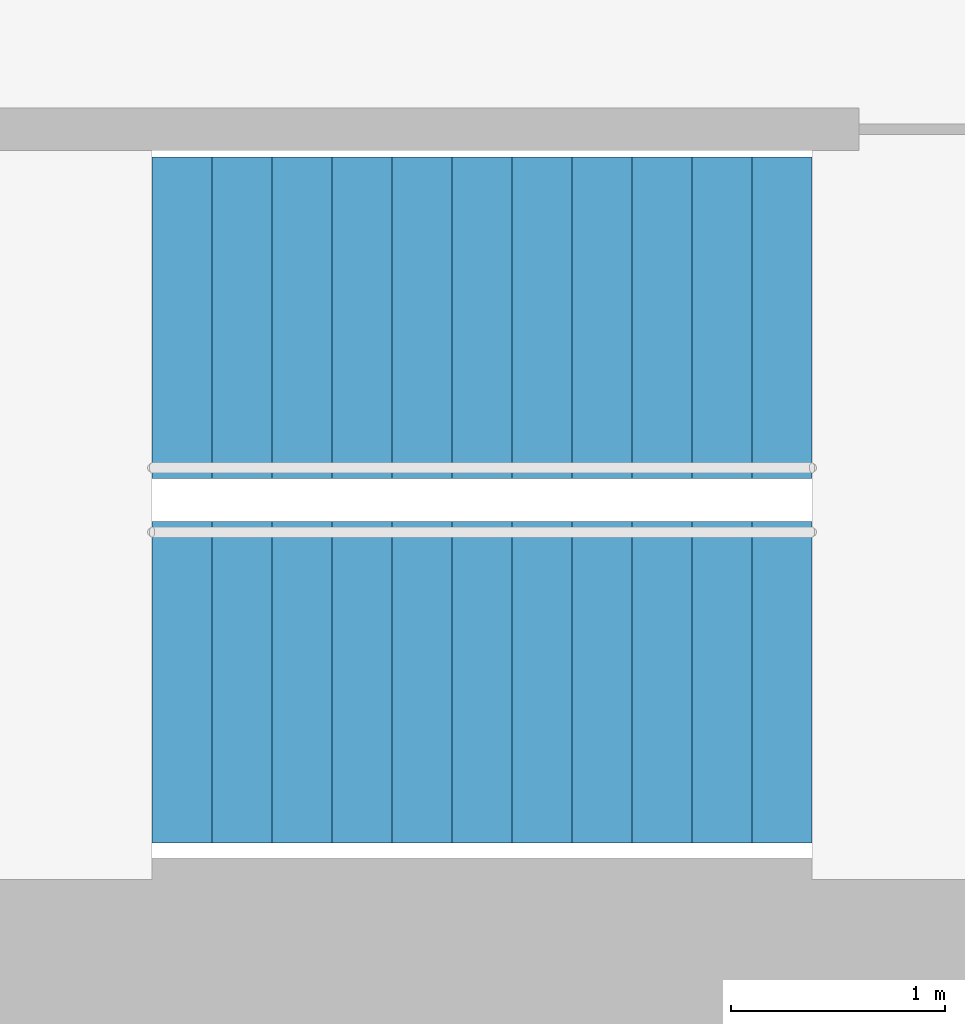
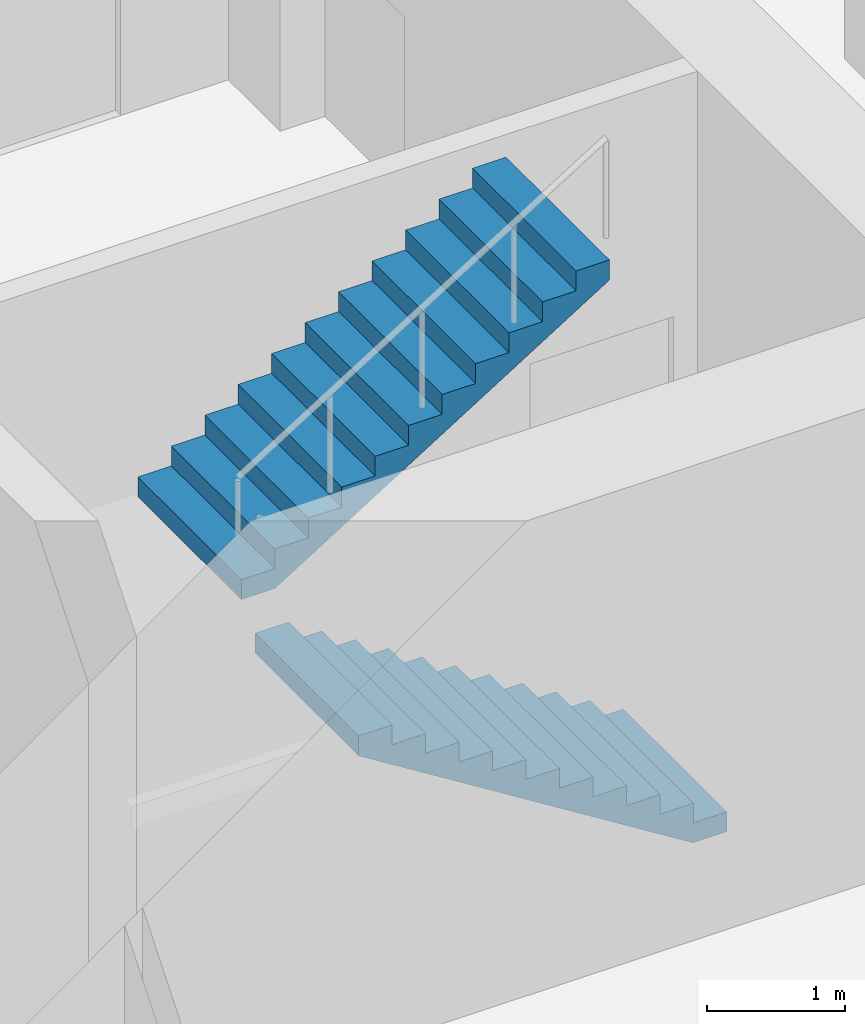
# One storey, part 15 of 17: 2 stair flights, 1 element without a shape of its own.
"""IFC4 building model written with IfcOpenShell, lengths in metres."""

from ifc_helpers import new_model, si_unit, direction, frame, origin, place, context, subcontext, project, spatial, triangles, material, type_object, element, aggregate, save


model = new_model("IFC4")

# Units and contexts
model_context = context("Model", 3, precision=1e-05, world=origin(), true_north=direction((0.0, 1.0)))
body_context = subcontext(model_context, "Body", "Model", "MODEL_VIEW")
ifc_project = project(units=[si_unit("LENGTHUNIT", "METRE"), si_unit("AREAUNIT", "SQUARE_METRE"), si_unit("VOLUMEUNIT", "CUBIC_METRE"), si_unit("PLANEANGLEUNIT", "RADIAN"), si_unit("MASSUNIT", "GRAM", prefix="KILO")], contexts=[model_context])

# Site, building, storey
site_placement = place(None, origin())
site = spatial("IfcSite", under=ifc_project, at=site_placement, CompositionType="ELEMENT")
building_placement = place(site_placement, origin())
building = spatial("IfcBuilding", under=site, at=building_placement, Name="Lantaw Convention Tower", CompositionType="ELEMENT")
storey_placement = place(building_placement, frame((0.0, 0.0, 199.0)))
storey = spatial("IfcBuildingStorey", under=building, at=storey_placement, Name="L46", CompositionType="ELEMENT", Elevation=199.0)

# Stair, stair flights
ifc_material = material(Name="Concrete C35/45", Category="concrete")
stair_type = type_object("IfcStairType", Name="Exit stair 1500 riser 175 in 2 flights", PredefinedType="HALF_TURN_STAIR", material=ifc_material)
stair_placement = place(storey_placement, origin())
stair = element("IfcStair", 1, at=stair_placement, inside=storey, type_object=stair_type, Name="Exit stair S2 L46", PredefinedType="HALF_TURN_STAIR")
stair_flight_type = type_object("IfcStairFlightType", Name="Stair flight 1500 riser 175", PredefinedType="STRAIGHT", material=ifc_material)
stair_flight_1_placement = place(storey_placement, frame((10.580078125, -5.97998046875, 0.0), z_axis=(0.0, 0.0, 1.0), x_axis=(-1.0, 0.0, 0.0)))
stair_flight_1 = element("IfcStairFlight", 2, at=stair_flight_1_placement, type_object=stair_flight_type, Name="S2 flight 1", NumberOfRisers=12, NumberOfTreads=11, PredefinedType="STRAIGHT", RiserHeight=0.175, TreadLength=0.28, context=body_context, shape_type="Tessellation", body=[
    triangles([(0.0, 0.75, 0.0), (0.0, 0.75, 0.175), (0.28, 0.75, 0.0), (0.28, 0.75, 0.175), (0.28, 0.75, 0.35), (0.28283517651771284, 0.75, 0.0), (0.28283517651771284, 0.75, 0.35), (0.56, 0.75, 0.17322801467642948), (0.56, 0.75, 0.35), (0.56, 0.75, 0.5249999999999999), (0.8400000000000001, 0.75, 0.34822801467642944), (0.8400000000000001, 0.75, 0.5249999999999999), (0.8400000000000001, 0.75, 0.7), (1.12, 0.75, 0.5232280146764294), (1.12, 0.75, 0.7), (1.12, 0.75, 0.875), (1.4000000000000001, 0.75, 0.6982280146764295), (1.4000000000000001, 0.75, 0.875), (1.4000000000000001, 0.75, 1.0499999999999998), (1.6800000000000002, 0.75, 0.8732280146764294), (1.6800000000000002, 0.75, 1.0499999999999998), (1.6800000000000002, 0.75, 1.2249999999999999), (1.9600000000000002, 0.75, 1.0482280146764293), (1.9600000000000002, 0.75, 1.2249999999999999), (1.9600000000000002, 0.75, 1.4), (2.24, 0.75, 1.2232280146764294), (2.24, 0.75, 1.4), (2.24, 0.75, 1.575), (2.5200000000000005, 0.75, 1.3982280146764294), (2.5200000000000005, 0.75, 1.575), (2.5200000000000005, 0.75, 1.75), (2.8000000000000003, 0.75, 1.5732280146764293), (2.8000000000000003, 0.75, 1.75), (2.8000000000000003, 0.75, 1.9249999999999998), (3.08, 0.75, 1.7482280146764293), (3.08, 0.75, 1.9249999999999998), (0.0, -0.75, 0.0), (0.0, -0.75, 0.175), (0.28, -0.75, 0.0), (0.28, -0.75, 0.175), (0.28, -0.75, 0.35), (0.28283517651771284, -0.75, 0.0), (0.28283517651771284, -0.75, 0.35), (0.56, -0.75, 0.17322801467642948), (0.56, -0.75, 0.35), (0.56, -0.75, 0.5249999999999999), (0.8400000000000001, -0.75, 0.34822801467642944), (0.8400000000000001, -0.75, 0.5249999999999999), (0.8400000000000001, -0.75, 0.7), (1.12, -0.75, 0.5232280146764294), (1.12, -0.75, 0.7), (1.12, -0.75, 0.875), (1.4000000000000001, -0.75, 0.6982280146764295), (1.4000000000000001, -0.75, 0.875), (1.4000000000000001, -0.75, 1.0499999999999998), (1.6800000000000002, -0.75, 0.8732280146764294), (1.6800000000000002, -0.75, 1.0499999999999998), (1.6800000000000002, -0.75, 1.2249999999999999), (1.9600000000000002, -0.75, 1.0482280146764293), (1.9600000000000002, -0.75, 1.2249999999999999), (1.9600000000000002, -0.75, 1.4), (2.24, -0.75, 1.2232280146764294), (2.24, -0.75, 1.4), (2.24, -0.75, 1.575), (2.5200000000000005, -0.75, 1.3982280146764294), (2.5200000000000005, -0.75, 1.575), (2.5200000000000005, -0.75, 1.75), (2.8000000000000003, -0.75, 1.5732280146764293), (2.8000000000000003, -0.75, 1.75), (2.8000000000000003, -0.75, 1.9249999999999998), (3.08, -0.75, 1.7482280146764293), (3.08, -0.75, 1.9249999999999998), (0.0, 0.15000000000000002, 0.175), (0.0, 0.15000000000000002, 0.0), (0.0, 0.0, 0.175), (0.0, 0.0, 0.0), (0.0, -0.15000000000000002, 0.175), (0.0, -0.15000000000000002, 0.0), (0.28, 0.15000000000000002, 0.35), (0.28, 0.15000000000000002, 0.175), (0.28, 0.0, 0.35), (0.28, 0.0, 0.175), (0.28, -0.15000000000000002, 0.35), (0.28, -0.15000000000000002, 0.175), (0.56, 0.15000000000000002, 0.5249999999999999), (0.56, 0.15000000000000002, 0.35), (0.56, 0.0, 0.5249999999999999), (0.56, 0.0, 0.35), (0.56, -0.15000000000000002, 0.5249999999999999), (0.56, -0.15000000000000002, 0.35), (0.8400000000000001, 0.15000000000000002, 0.7), (0.8400000000000001, 0.15000000000000002, 0.5249999999999999), (0.8400000000000001, 0.0, 0.7), (0.8400000000000001, 0.0, 0.5249999999999999), (0.8400000000000001, -0.15000000000000002, 0.7), (0.8400000000000001, -0.15000000000000002, 0.5249999999999999), (1.12, 0.15000000000000002, 0.875), (1.12, 0.15000000000000002, 0.7), (1.12, 0.0, 0.875), (1.12, 0.0, 0.7), (1.12, -0.15000000000000002, 0.875), (1.12, -0.15000000000000002, 0.7), (1.4000000000000001, 0.15000000000000002, 1.0499999999999998), (1.4000000000000001, 0.15000000000000002, 0.875), (1.4000000000000001, 0.0, 1.0499999999999998), (1.4000000000000001, 0.0, 0.875), (1.4000000000000001, -0.15000000000000002, 1.0499999999999998), (1.4000000000000001, -0.15000000000000002, 0.875), (1.6800000000000002, 0.15000000000000002, 1.2249999999999999), (1.6800000000000002, 0.15000000000000002, 1.0499999999999998), (1.6800000000000002, 0.0, 1.2249999999999999), (1.6800000000000002, 0.0, 1.0499999999999998), (1.6800000000000002, -0.15000000000000002, 1.2249999999999999), (1.6800000000000002, -0.15000000000000002, 1.0499999999999998), (1.9600000000000002, 0.15000000000000002, 1.4), (1.9600000000000002, 0.15000000000000002, 1.2249999999999999), (1.9600000000000002, 0.0, 1.4), (1.9600000000000002, 0.0, 1.2249999999999999), (1.9600000000000002, -0.15000000000000002, 1.4), (1.9600000000000002, -0.15000000000000002, 1.2249999999999999), (2.24, 0.15000000000000002, 1.575), (2.24, 0.15000000000000002, 1.4), (2.24, 0.0, 1.575), (2.24, 0.0, 1.4), (2.24, -0.15000000000000002, 1.575), (2.24, -0.15000000000000002, 1.4), (2.5200000000000005, 0.15000000000000002, 1.75), (2.5200000000000005, 0.15000000000000002, 1.575), (2.5200000000000005, 0.0, 1.75), (2.5200000000000005, 0.0, 1.575), (2.5200000000000005, -0.15000000000000002, 1.75), (2.5200000000000005, -0.15000000000000002, 1.575), (2.8000000000000003, 0.15000000000000002, 1.9249999999999998), (2.8000000000000003, 0.15000000000000002, 1.75), (2.8000000000000003, 0.0, 1.9249999999999998), (2.8000000000000003, 0.0, 1.75), (2.8000000000000003, -0.15000000000000002, 1.9249999999999998), (2.8000000000000003, -0.15000000000000002, 1.75), (0.28283517651771284, 0.15000000000000002, 0.35), (0.28283517651771284, 0.0, 0.35), (0.28283517651771284, -0.15000000000000002, 0.35), (3.08, 0.15000000000000002, 1.9249999999999998), (3.08, 0.0, 1.9249999999999998), (3.08, -0.15000000000000002, 1.9249999999999998), (3.08, 0.15000000000000002, 1.7482280146764293), (3.08, 0.0, 1.7482280146764293), (3.08, -0.15000000000000002, 1.7482280146764293), (2.8000000000000003, 0.15000000000000002, 1.5732280146764293), (2.8000000000000003, 0.0, 1.5732280146764293), (2.8000000000000003, -0.15000000000000002, 1.5732280146764293), (2.5200000000000005, 0.15000000000000002, 1.3982280146764294), (2.5200000000000005, 0.0, 1.3982280146764294), (2.5200000000000005, -0.15000000000000002, 1.3982280146764294), (2.24, 0.15000000000000002, 1.2232280146764294), (2.24, 0.0, 1.2232280146764294), (2.24, -0.15000000000000002, 1.2232280146764294), (1.9600000000000002, 0.15000000000000002, 1.0482280146764293), (1.9600000000000002, 0.0, 1.0482280146764293), (1.9600000000000002, -0.15000000000000002, 1.0482280146764293), (1.6800000000000002, 0.15000000000000002, 0.8732280146764294), (1.6800000000000002, 0.0, 0.8732280146764294), (1.6800000000000002, -0.15000000000000002, 0.8732280146764294), (1.4000000000000001, 0.15000000000000002, 0.6982280146764295), (1.4000000000000001, 0.0, 0.6982280146764295), (1.4000000000000001, -0.15000000000000002, 0.6982280146764295), (1.12, 0.15000000000000002, 0.5232280146764294), (1.12, 0.0, 0.5232280146764294), (1.12, -0.15000000000000002, 0.5232280146764294), (0.8400000000000001, 0.15000000000000002, 0.34822801467642944), (0.8400000000000001, 0.0, 0.34822801467642944), (0.8400000000000001, -0.15000000000000002, 0.34822801467642944), (0.56, 0.15000000000000002, 0.17322801467642948), (0.56, 0.0, 0.17322801467642948), (0.56, -0.15000000000000002, 0.17322801467642948), (0.28283517651771284, 0.15000000000000002, 0.0), (0.28283517651771284, 0.0, 0.0), (0.28283517651771284, -0.15000000000000002, 0.0), (0.28, 0.15000000000000002, 0.0), (0.28, 0.0, 0.0), (0.28, -0.15000000000000002, 0.0)], [[1, 4, 3], [1, 2, 4], [3, 4, 6], [4, 7, 6], [4, 5, 7], [6, 9, 8], [6, 7, 9], [8, 9, 11], [9, 12, 11], [9, 10, 12], [11, 12, 14], [12, 15, 14], [12, 13, 15], [14, 15, 17], [15, 18, 17], [15, 16, 18], [17, 18, 20], [18, 21, 20], [18, 19, 21], [20, 21, 23], [21, 24, 23], [21, 22, 24], [23, 24, 26], [24, 27, 26], [24, 25, 27], [26, 27, 29], [27, 30, 29], [27, 28, 30], [29, 30, 32], [30, 33, 32], [30, 31, 33], [32, 33, 35], [33, 36, 35], [33, 34, 36], [37, 39, 40], [37, 40, 38], [39, 42, 40], [40, 42, 43], [40, 43, 41], [42, 44, 45], [42, 45, 43], [44, 47, 45], [45, 47, 48], [45, 48, 46], [47, 50, 48], [48, 50, 51], [48, 51, 49], [50, 53, 51], [51, 53, 54], [51, 54, 52], [53, 56, 54], [54, 56, 57], [54, 57, 55], [56, 59, 57], [57, 59, 60], [57, 60, 58], [59, 62, 60], [60, 62, 63], [60, 63, 61], [62, 65, 63], [63, 65, 66], [63, 66, 64], [65, 68, 66], [66, 68, 69], [66, 69, 67], [68, 71, 69], [69, 71, 72], [69, 72, 70], [1, 73, 2], [1, 74, 73], [74, 75, 73], [74, 76, 75], [76, 77, 75], [76, 78, 77], [78, 38, 77], [78, 37, 38], [4, 79, 5], [4, 80, 79], [80, 81, 79], [80, 82, 81], [82, 83, 81], [82, 84, 83], [84, 41, 83], [84, 40, 41], [9, 85, 10], [9, 86, 85], [86, 87, 85], [86, 88, 87], [88, 89, 87], [88, 90, 89], [90, 46, 89], [90, 45, 46], [12, 91, 13], [12, 92, 91], [92, 93, 91], [92, 94, 93], [94, 95, 93], [94, 96, 95], [96, 49, 95], [96, 48, 49], [15, 97, 16], [15, 98, 97], [98, 99, 97], [98, 100, 99], [100, 101, 99], [100, 102, 101], [102, 52, 101], [102, 51, 52], [18, 103, 19], [18, 104, 103], [104, 105, 103], [104, 106, 105], [106, 107, 105], [106, 108, 107], [108, 55, 107], [108, 54, 55], [21, 109, 22], [21, 110, 109], [110, 111, 109], [110, 112, 111], [112, 113, 111], [112, 114, 113], [114, 58, 113], [114, 57, 58], [24, 115, 25], [24, 116, 115], [116, 117, 115], [116, 118, 117], [118, 119, 117], [118, 120, 119], [120, 61, 119], [120, 60, 61], [27, 121, 28], [27, 122, 121], [122, 123, 121], [122, 124, 123], [124, 125, 123], [124, 126, 125], [126, 64, 125], [126, 63, 64], [30, 127, 31], [30, 128, 127], [128, 129, 127], [128, 130, 129], [130, 131, 129], [130, 132, 131], [132, 67, 131], [132, 66, 67], [33, 133, 34], [33, 134, 133], [134, 135, 133], [134, 136, 135], [136, 137, 135], [136, 138, 137], [138, 70, 137], [138, 69, 70], [2, 80, 4], [2, 73, 80], [73, 82, 80], [73, 75, 82], [75, 84, 82], [75, 77, 84], [77, 40, 84], [77, 38, 40], [5, 139, 7], [5, 79, 139], [79, 140, 139], [79, 81, 140], [81, 141, 140], [81, 83, 141], [83, 43, 141], [83, 41, 43], [7, 86, 9], [7, 139, 86], [139, 88, 86], [139, 140, 88], [140, 90, 88], [140, 141, 90], [141, 45, 90], [141, 43, 45], [10, 92, 12], [10, 85, 92], [85, 94, 92], [85, 87, 94], [87, 96, 94], [87, 89, 96], [89, 48, 96], [89, 46, 48], [13, 98, 15], [13, 91, 98], [91, 100, 98], [91, 93, 100], [93, 102, 100], [93, 95, 102], [95, 51, 102], [95, 49, 51], [16, 104, 18], [16, 97, 104], [97, 106, 104], [97, 99, 106], [99, 108, 106], [99, 101, 108], [101, 54, 108], [101, 52, 54], [19, 110, 21], [19, 103, 110], [103, 112, 110], [103, 105, 112], [105, 114, 112], [105, 107, 114], [107, 57, 114], [107, 55, 57], [22, 116, 24], [22, 109, 116], [109, 118, 116], [109, 111, 118], [111, 120, 118], [111, 113, 120], [113, 60, 120], [113, 58, 60], [25, 122, 27], [25, 115, 122], [115, 124, 122], [115, 117, 124], [117, 126, 124], [117, 119, 126], [119, 63, 126], [119, 61, 63], [28, 128, 30], [28, 121, 128], [121, 130, 128], [121, 123, 130], [123, 132, 130], [123, 125, 132], [125, 66, 132], [125, 64, 66], [31, 134, 33], [31, 127, 134], [127, 136, 134], [127, 129, 136], [129, 138, 136], [129, 131, 138], [131, 69, 138], [131, 67, 69], [34, 142, 36], [34, 133, 142], [133, 143, 142], [133, 135, 143], [135, 144, 143], [135, 137, 144], [137, 72, 144], [137, 70, 72], [36, 145, 35], [36, 142, 145], [142, 146, 145], [142, 143, 146], [143, 147, 146], [143, 144, 147], [144, 71, 147], [144, 72, 71], [35, 148, 32], [35, 145, 148], [145, 149, 148], [145, 146, 149], [146, 150, 149], [146, 147, 150], [147, 68, 150], [147, 71, 68], [32, 151, 29], [32, 148, 151], [148, 152, 151], [148, 149, 152], [149, 153, 152], [149, 150, 153], [150, 65, 153], [150, 68, 65], [29, 154, 26], [29, 151, 154], [151, 155, 154], [151, 152, 155], [152, 156, 155], [152, 153, 156], [153, 62, 156], [153, 65, 62], [26, 157, 23], [26, 154, 157], [154, 158, 157], [154, 155, 158], [155, 159, 158], [155, 156, 159], [156, 59, 159], [156, 62, 59], [23, 160, 20], [23, 157, 160], [157, 161, 160], [157, 158, 161], [158, 162, 161], [158, 159, 162], [159, 56, 162], [159, 59, 56], [20, 163, 17], [20, 160, 163], [160, 164, 163], [160, 161, 164], [161, 165, 164], [161, 162, 165], [162, 53, 165], [162, 56, 53], [17, 166, 14], [17, 163, 166], [163, 167, 166], [163, 164, 167], [164, 168, 167], [164, 165, 168], [165, 50, 168], [165, 53, 50], [14, 169, 11], [14, 166, 169], [166, 170, 169], [166, 167, 170], [167, 171, 170], [167, 168, 171], [168, 47, 171], [168, 50, 47], [11, 172, 8], [11, 169, 172], [169, 173, 172], [169, 170, 173], [170, 174, 173], [170, 171, 174], [171, 44, 174], [171, 47, 44], [8, 175, 6], [8, 172, 175], [172, 176, 175], [172, 173, 176], [173, 177, 176], [173, 174, 177], [174, 42, 177], [174, 44, 42], [6, 178, 3], [6, 175, 178], [175, 179, 178], [175, 176, 179], [176, 180, 179], [176, 177, 180], [177, 39, 180], [177, 42, 39], [3, 74, 1], [3, 178, 74], [178, 76, 74], [178, 179, 76], [179, 78, 76], [179, 180, 78], [180, 37, 78], [180, 39, 37]], closed=True),
])
stair_flight_2_placement = place(storey_placement, frame((7.5, -4.280029296875, 2.10009765625), z_axis=(0.0, 0.0, 1.0), x_axis=(1.0, 0.0, 0.0)))
stair_flight_2 = element("IfcStairFlight", 3, at=stair_flight_2_placement, type_object=stair_flight_type, Name="S2 flight 2", NumberOfRisers=12, NumberOfTreads=11, PredefinedType="STRAIGHT", RiserHeight=0.175, TreadLength=0.28, context=body_context, shape_type="Tessellation", body=[
    triangles([(0.0, 0.75, 0.0), (0.0, 0.75, 0.175), (0.28, 0.75, 0.0), (0.28, 0.75, 0.175), (0.28, 0.75, 0.35), (0.28283517651771284, 0.75, 0.0), (0.28283517651771284, 0.75, 0.35), (0.56, 0.75, 0.17322801467642948), (0.56, 0.75, 0.35), (0.56, 0.75, 0.5249999999999999), (0.8400000000000001, 0.75, 0.34822801467642944), (0.8400000000000001, 0.75, 0.5249999999999999), (0.8400000000000001, 0.75, 0.7), (1.12, 0.75, 0.5232280146764294), (1.12, 0.75, 0.7), (1.12, 0.75, 0.875), (1.4000000000000001, 0.75, 0.6982280146764295), (1.4000000000000001, 0.75, 0.875), (1.4000000000000001, 0.75, 1.0499999999999998), (1.6800000000000002, 0.75, 0.8732280146764294), (1.6800000000000002, 0.75, 1.0499999999999998), (1.6800000000000002, 0.75, 1.2249999999999999), (1.9600000000000002, 0.75, 1.0482280146764293), (1.9600000000000002, 0.75, 1.2249999999999999), (1.9600000000000002, 0.75, 1.4), (2.24, 0.75, 1.2232280146764294), (2.24, 0.75, 1.4), (2.24, 0.75, 1.575), (2.5200000000000005, 0.75, 1.3982280146764294), (2.5200000000000005, 0.75, 1.575), (2.5200000000000005, 0.75, 1.75), (2.8000000000000003, 0.75, 1.5732280146764293), (2.8000000000000003, 0.75, 1.75), (2.8000000000000003, 0.75, 1.9249999999999998), (3.08, 0.75, 1.7482280146764293), (3.08, 0.75, 1.9249999999999998), (0.0, -0.75, 0.0), (0.0, -0.75, 0.175), (0.28, -0.75, 0.0), (0.28, -0.75, 0.175), (0.28, -0.75, 0.35), (0.28283517651771284, -0.75, 0.0), (0.28283517651771284, -0.75, 0.35), (0.56, -0.75, 0.17322801467642948), (0.56, -0.75, 0.35), (0.56, -0.75, 0.5249999999999999), (0.8400000000000001, -0.75, 0.34822801467642944), (0.8400000000000001, -0.75, 0.5249999999999999), (0.8400000000000001, -0.75, 0.7), (1.12, -0.75, 0.5232280146764294), (1.12, -0.75, 0.7), (1.12, -0.75, 0.875), (1.4000000000000001, -0.75, 0.6982280146764295), (1.4000000000000001, -0.75, 0.875), (1.4000000000000001, -0.75, 1.0499999999999998), (1.6800000000000002, -0.75, 0.8732280146764294), (1.6800000000000002, -0.75, 1.0499999999999998), (1.6800000000000002, -0.75, 1.2249999999999999), (1.9600000000000002, -0.75, 1.0482280146764293), (1.9600000000000002, -0.75, 1.2249999999999999), (1.9600000000000002, -0.75, 1.4), (2.24, -0.75, 1.2232280146764294), (2.24, -0.75, 1.4), (2.24, -0.75, 1.575), (2.5200000000000005, -0.75, 1.3982280146764294), (2.5200000000000005, -0.75, 1.575), (2.5200000000000005, -0.75, 1.75), (2.8000000000000003, -0.75, 1.5732280146764293), (2.8000000000000003, -0.75, 1.75), (2.8000000000000003, -0.75, 1.9249999999999998), (3.08, -0.75, 1.7482280146764293), (3.08, -0.75, 1.9249999999999998), (0.0, 0.15000000000000002, 0.175), (0.0, 0.15000000000000002, 0.0), (0.0, 0.0, 0.175), (0.0, 0.0, 0.0), (0.0, -0.15000000000000002, 0.175), (0.0, -0.15000000000000002, 0.0), (0.28, 0.15000000000000002, 0.35), (0.28, 0.15000000000000002, 0.175), (0.28, 0.0, 0.35), (0.28, 0.0, 0.175), (0.28, -0.15000000000000002, 0.35), (0.28, -0.15000000000000002, 0.175), (0.56, 0.15000000000000002, 0.5249999999999999), (0.56, 0.15000000000000002, 0.35), (0.56, 0.0, 0.5249999999999999), (0.56, 0.0, 0.35), (0.56, -0.15000000000000002, 0.5249999999999999), (0.56, -0.15000000000000002, 0.35), (0.8400000000000001, 0.15000000000000002, 0.7), (0.8400000000000001, 0.15000000000000002, 0.5249999999999999), (0.8400000000000001, 0.0, 0.7), (0.8400000000000001, 0.0, 0.5249999999999999), (0.8400000000000001, -0.15000000000000002, 0.7), (0.8400000000000001, -0.15000000000000002, 0.5249999999999999), (1.12, 0.15000000000000002, 0.875), (1.12, 0.15000000000000002, 0.7), (1.12, 0.0, 0.875), (1.12, 0.0, 0.7), (1.12, -0.15000000000000002, 0.875), (1.12, -0.15000000000000002, 0.7), (1.4000000000000001, 0.15000000000000002, 1.0499999999999998), (1.4000000000000001, 0.15000000000000002, 0.875), (1.4000000000000001, 0.0, 1.0499999999999998), (1.4000000000000001, 0.0, 0.875), (1.4000000000000001, -0.15000000000000002, 1.0499999999999998), (1.4000000000000001, -0.15000000000000002, 0.875), (1.6800000000000002, 0.15000000000000002, 1.2249999999999999), (1.6800000000000002, 0.15000000000000002, 1.0499999999999998), (1.6800000000000002, 0.0, 1.2249999999999999), (1.6800000000000002, 0.0, 1.0499999999999998), (1.6800000000000002, -0.15000000000000002, 1.2249999999999999), (1.6800000000000002, -0.15000000000000002, 1.0499999999999998), (1.9600000000000002, 0.15000000000000002, 1.4), (1.9600000000000002, 0.15000000000000002, 1.2249999999999999), (1.9600000000000002, 0.0, 1.4), (1.9600000000000002, 0.0, 1.2249999999999999), (1.9600000000000002, -0.15000000000000002, 1.4), (1.9600000000000002, -0.15000000000000002, 1.2249999999999999), (2.24, 0.15000000000000002, 1.575), (2.24, 0.15000000000000002, 1.4), (2.24, 0.0, 1.575), (2.24, 0.0, 1.4), (2.24, -0.15000000000000002, 1.575), (2.24, -0.15000000000000002, 1.4), (2.5200000000000005, 0.15000000000000002, 1.75), (2.5200000000000005, 0.15000000000000002, 1.575), (2.5200000000000005, 0.0, 1.75), (2.5200000000000005, 0.0, 1.575), (2.5200000000000005, -0.15000000000000002, 1.75), (2.5200000000000005, -0.15000000000000002, 1.575), (2.8000000000000003, 0.15000000000000002, 1.9249999999999998), (2.8000000000000003, 0.15000000000000002, 1.75), (2.8000000000000003, 0.0, 1.9249999999999998), (2.8000000000000003, 0.0, 1.75), (2.8000000000000003, -0.15000000000000002, 1.9249999999999998), (2.8000000000000003, -0.15000000000000002, 1.75), (0.28283517651771284, 0.15000000000000002, 0.35), (0.28283517651771284, 0.0, 0.35), (0.28283517651771284, -0.15000000000000002, 0.35), (3.08, 0.15000000000000002, 1.9249999999999998), (3.08, 0.0, 1.9249999999999998), (3.08, -0.15000000000000002, 1.9249999999999998), (3.08, 0.15000000000000002, 1.7482280146764293), (3.08, 0.0, 1.7482280146764293), (3.08, -0.15000000000000002, 1.7482280146764293), (2.8000000000000003, 0.15000000000000002, 1.5732280146764293), (2.8000000000000003, 0.0, 1.5732280146764293), (2.8000000000000003, -0.15000000000000002, 1.5732280146764293), (2.5200000000000005, 0.15000000000000002, 1.3982280146764294), (2.5200000000000005, 0.0, 1.3982280146764294), (2.5200000000000005, -0.15000000000000002, 1.3982280146764294), (2.24, 0.15000000000000002, 1.2232280146764294), (2.24, 0.0, 1.2232280146764294), (2.24, -0.15000000000000002, 1.2232280146764294), (1.9600000000000002, 0.15000000000000002, 1.0482280146764293), (1.9600000000000002, 0.0, 1.0482280146764293), (1.9600000000000002, -0.15000000000000002, 1.0482280146764293), (1.6800000000000002, 0.15000000000000002, 0.8732280146764294), (1.6800000000000002, 0.0, 0.8732280146764294), (1.6800000000000002, -0.15000000000000002, 0.8732280146764294), (1.4000000000000001, 0.15000000000000002, 0.6982280146764295), (1.4000000000000001, 0.0, 0.6982280146764295), (1.4000000000000001, -0.15000000000000002, 0.6982280146764295), (1.12, 0.15000000000000002, 0.5232280146764294), (1.12, 0.0, 0.5232280146764294), (1.12, -0.15000000000000002, 0.5232280146764294), (0.8400000000000001, 0.15000000000000002, 0.34822801467642944), (0.8400000000000001, 0.0, 0.34822801467642944), (0.8400000000000001, -0.15000000000000002, 0.34822801467642944), (0.56, 0.15000000000000002, 0.17322801467642948), (0.56, 0.0, 0.17322801467642948), (0.56, -0.15000000000000002, 0.17322801467642948), (0.28283517651771284, 0.15000000000000002, 0.0), (0.28283517651771284, 0.0, 0.0), (0.28283517651771284, -0.15000000000000002, 0.0), (0.28, 0.15000000000000002, 0.0), (0.28, 0.0, 0.0), (0.28, -0.15000000000000002, 0.0)], [[1, 4, 3], [1, 2, 4], [3, 4, 6], [4, 7, 6], [4, 5, 7], [6, 9, 8], [6, 7, 9], [8, 9, 11], [9, 12, 11], [9, 10, 12], [11, 12, 14], [12, 15, 14], [12, 13, 15], [14, 15, 17], [15, 18, 17], [15, 16, 18], [17, 18, 20], [18, 21, 20], [18, 19, 21], [20, 21, 23], [21, 24, 23], [21, 22, 24], [23, 24, 26], [24, 27, 26], [24, 25, 27], [26, 27, 29], [27, 30, 29], [27, 28, 30], [29, 30, 32], [30, 33, 32], [30, 31, 33], [32, 33, 35], [33, 36, 35], [33, 34, 36], [37, 39, 40], [37, 40, 38], [39, 42, 40], [40, 42, 43], [40, 43, 41], [42, 44, 45], [42, 45, 43], [44, 47, 45], [45, 47, 48], [45, 48, 46], [47, 50, 48], [48, 50, 51], [48, 51, 49], [50, 53, 51], [51, 53, 54], [51, 54, 52], [53, 56, 54], [54, 56, 57], [54, 57, 55], [56, 59, 57], [57, 59, 60], [57, 60, 58], [59, 62, 60], [60, 62, 63], [60, 63, 61], [62, 65, 63], [63, 65, 66], [63, 66, 64], [65, 68, 66], [66, 68, 69], [66, 69, 67], [68, 71, 69], [69, 71, 72], [69, 72, 70], [1, 73, 2], [1, 74, 73], [74, 75, 73], [74, 76, 75], [76, 77, 75], [76, 78, 77], [78, 38, 77], [78, 37, 38], [4, 79, 5], [4, 80, 79], [80, 81, 79], [80, 82, 81], [82, 83, 81], [82, 84, 83], [84, 41, 83], [84, 40, 41], [9, 85, 10], [9, 86, 85], [86, 87, 85], [86, 88, 87], [88, 89, 87], [88, 90, 89], [90, 46, 89], [90, 45, 46], [12, 91, 13], [12, 92, 91], [92, 93, 91], [92, 94, 93], [94, 95, 93], [94, 96, 95], [96, 49, 95], [96, 48, 49], [15, 97, 16], [15, 98, 97], [98, 99, 97], [98, 100, 99], [100, 101, 99], [100, 102, 101], [102, 52, 101], [102, 51, 52], [18, 103, 19], [18, 104, 103], [104, 105, 103], [104, 106, 105], [106, 107, 105], [106, 108, 107], [108, 55, 107], [108, 54, 55], [21, 109, 22], [21, 110, 109], [110, 111, 109], [110, 112, 111], [112, 113, 111], [112, 114, 113], [114, 58, 113], [114, 57, 58], [24, 115, 25], [24, 116, 115], [116, 117, 115], [116, 118, 117], [118, 119, 117], [118, 120, 119], [120, 61, 119], [120, 60, 61], [27, 121, 28], [27, 122, 121], [122, 123, 121], [122, 124, 123], [124, 125, 123], [124, 126, 125], [126, 64, 125], [126, 63, 64], [30, 127, 31], [30, 128, 127], [128, 129, 127], [128, 130, 129], [130, 131, 129], [130, 132, 131], [132, 67, 131], [132, 66, 67], [33, 133, 34], [33, 134, 133], [134, 135, 133], [134, 136, 135], [136, 137, 135], [136, 138, 137], [138, 70, 137], [138, 69, 70], [2, 80, 4], [2, 73, 80], [73, 82, 80], [73, 75, 82], [75, 84, 82], [75, 77, 84], [77, 40, 84], [77, 38, 40], [5, 139, 7], [5, 79, 139], [79, 140, 139], [79, 81, 140], [81, 141, 140], [81, 83, 141], [83, 43, 141], [83, 41, 43], [7, 86, 9], [7, 139, 86], [139, 88, 86], [139, 140, 88], [140, 90, 88], [140, 141, 90], [141, 45, 90], [141, 43, 45], [10, 92, 12], [10, 85, 92], [85, 94, 92], [85, 87, 94], [87, 96, 94], [87, 89, 96], [89, 48, 96], [89, 46, 48], [13, 98, 15], [13, 91, 98], [91, 100, 98], [91, 93, 100], [93, 102, 100], [93, 95, 102], [95, 51, 102], [95, 49, 51], [16, 104, 18], [16, 97, 104], [97, 106, 104], [97, 99, 106], [99, 108, 106], [99, 101, 108], [101, 54, 108], [101, 52, 54], [19, 110, 21], [19, 103, 110], [103, 112, 110], [103, 105, 112], [105, 114, 112], [105, 107, 114], [107, 57, 114], [107, 55, 57], [22, 116, 24], [22, 109, 116], [109, 118, 116], [109, 111, 118], [111, 120, 118], [111, 113, 120], [113, 60, 120], [113, 58, 60], [25, 122, 27], [25, 115, 122], [115, 124, 122], [115, 117, 124], [117, 126, 124], [117, 119, 126], [119, 63, 126], [119, 61, 63], [28, 128, 30], [28, 121, 128], [121, 130, 128], [121, 123, 130], [123, 132, 130], [123, 125, 132], [125, 66, 132], [125, 64, 66], [31, 134, 33], [31, 127, 134], [127, 136, 134], [127, 129, 136], [129, 138, 136], [129, 131, 138], [131, 69, 138], [131, 67, 69], [34, 142, 36], [34, 133, 142], [133, 143, 142], [133, 135, 143], [135, 144, 143], [135, 137, 144], [137, 72, 144], [137, 70, 72], [36, 145, 35], [36, 142, 145], [142, 146, 145], [142, 143, 146], [143, 147, 146], [143, 144, 147], [144, 71, 147], [144, 72, 71], [35, 148, 32], [35, 145, 148], [145, 149, 148], [145, 146, 149], [146, 150, 149], [146, 147, 150], [147, 68, 150], [147, 71, 68], [32, 151, 29], [32, 148, 151], [148, 152, 151], [148, 149, 152], [149, 153, 152], [149, 150, 153], [150, 65, 153], [150, 68, 65], [29, 154, 26], [29, 151, 154], [151, 155, 154], [151, 152, 155], [152, 156, 155], [152, 153, 156], [153, 62, 156], [153, 65, 62], [26, 157, 23], [26, 154, 157], [154, 158, 157], [154, 155, 158], [155, 159, 158], [155, 156, 159], [156, 59, 159], [156, 62, 59], [23, 160, 20], [23, 157, 160], [157, 161, 160], [157, 158, 161], [158, 162, 161], [158, 159, 162], [159, 56, 162], [159, 59, 56], [20, 163, 17], [20, 160, 163], [160, 164, 163], [160, 161, 164], [161, 165, 164], [161, 162, 165], [162, 53, 165], [162, 56, 53], [17, 166, 14], [17, 163, 166], [163, 167, 166], [163, 164, 167], [164, 168, 167], [164, 165, 168], [165, 50, 168], [165, 53, 50], [14, 169, 11], [14, 166, 169], [166, 170, 169], [166, 167, 170], [167, 171, 170], [167, 168, 171], [168, 47, 171], [168, 50, 47], [11, 172, 8], [11, 169, 172], [169, 173, 172], [169, 170, 173], [170, 174, 173], [170, 171, 174], [171, 44, 174], [171, 47, 44], [8, 175, 6], [8, 172, 175], [172, 176, 175], [172, 173, 176], [173, 177, 176], [173, 174, 177], [174, 42, 177], [174, 44, 42], [6, 178, 3], [6, 175, 178], [175, 179, 178], [175, 176, 179], [176, 180, 179], [176, 177, 180], [177, 39, 180], [177, 42, 39], [3, 74, 1], [3, 178, 74], [178, 76, 74], [178, 179, 76], [179, 78, 76], [179, 180, 78], [180, 37, 78], [180, 39, 37]], closed=True),
])
aggregate(stair, [stair_flight_1, stair_flight_2])

save(model, "model.ifc")
